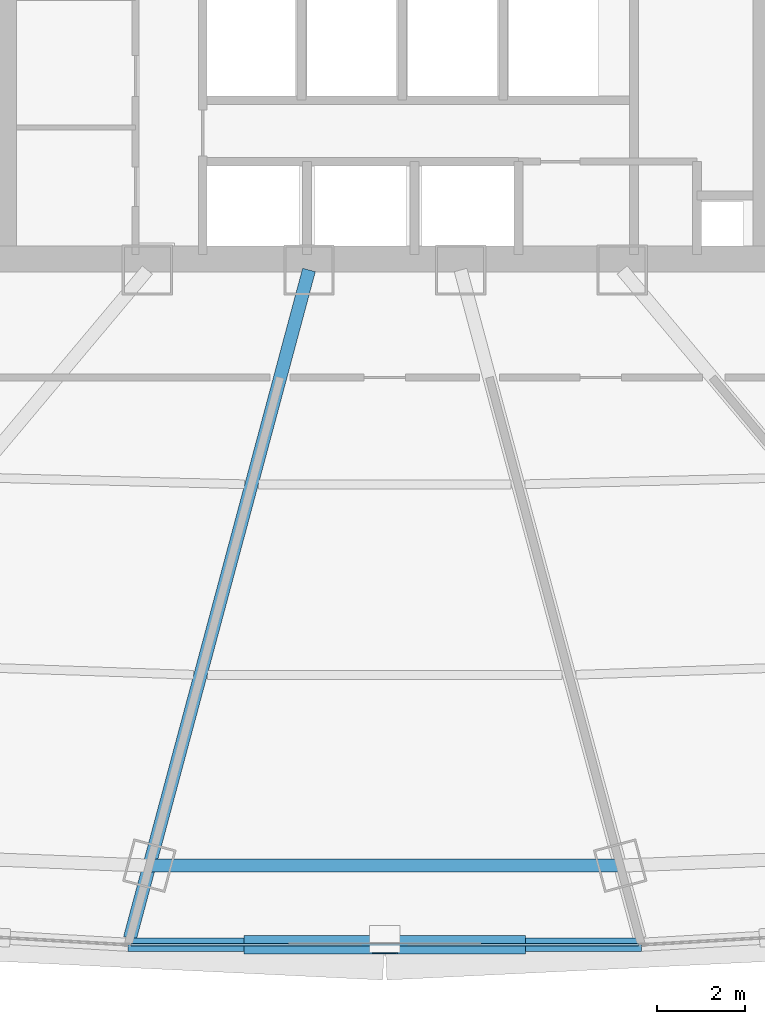
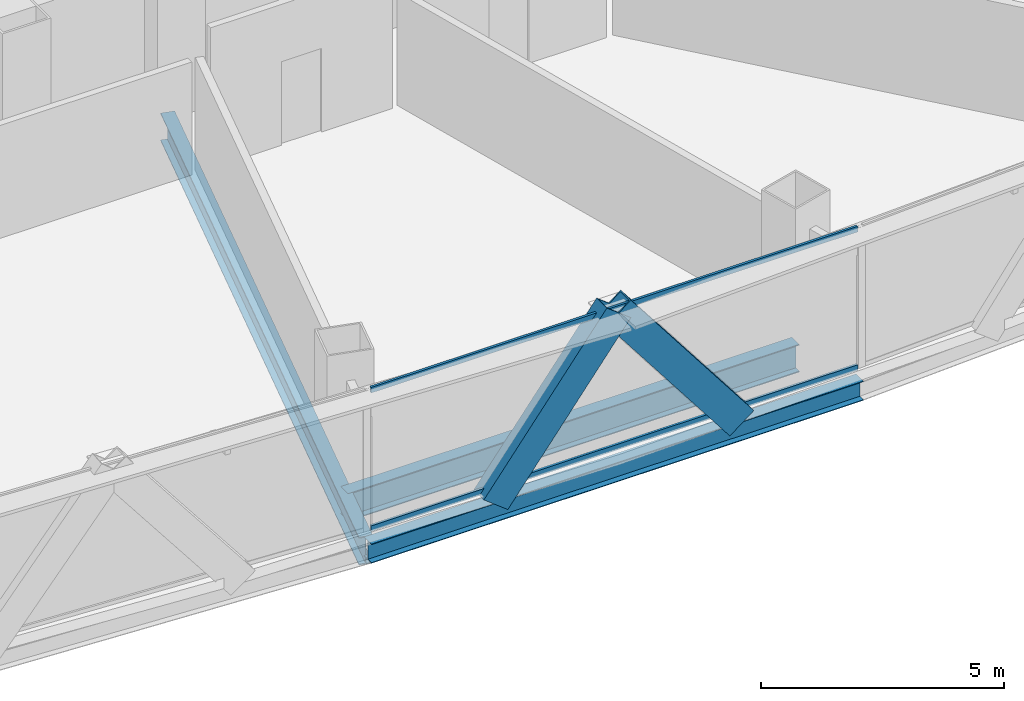
# One storey, part 9 of 39: 4 members, 3 beams, 1 element without a shape of its own.
"""IFC4 building model written with IfcOpenShell, lengths in metres."""

from ifc_helpers import new_model, si_unit, direction, frame, origin, origin_2d, place, context, subcontext, project, spatial, hollow_rectangle, i_section, extrude, source, transform, mapped, material, layer, layer_set, material_profile, profile_set, type_object, element, aggregate, save


model = new_model("IFC4")

# Units and contexts
model_context = context("Model", 3, precision=1e-05, world=origin(), true_north=direction((0.0, 1.0)))
body_context = subcontext(model_context, "Body", "Model", "MODEL_VIEW")
ifc_project = project(units=[si_unit("LENGTHUNIT", "METRE"), si_unit("AREAUNIT", "SQUARE_METRE"), si_unit("VOLUMEUNIT", "CUBIC_METRE"), si_unit("PLANEANGLEUNIT", "RADIAN"), si_unit("MASSUNIT", "GRAM", prefix="KILO"), si_unit("THERMODYNAMICTEMPERATUREUNIT", "KELVIN"), si_unit("POWERUNIT", "WATT")], contexts=[model_context])

# Site, building, storey
site_placement = place(None, origin())
site = spatial("IfcSite", under=ifc_project, at=site_placement, CompositionType="ELEMENT")
building_placement = place(site_placement, origin())
building = spatial("IfcBuilding", under=site, at=building_placement, Name="Yunzhuo Pagoda Commons", CompositionType="ELEMENT")
storey_placement = place(building_placement, frame((0.0, 0.0, 100.179931640625)))
storey = spatial("IfcBuildingStorey", under=building, at=storey_placement, Name="L25", CompositionType="ELEMENT", Elevation=100.179931640625)

# Beams
ifc_material_1 = material(Name="Structural steel Q355B", Category="steel")
ifc_material_profile_1 = material_profile(ifc_material_1, i_section(OverallWidth=0.300048828125, OverallDepth=0.699951171875, WebThickness=0.012939453125, FlangeThickness=0.02392578125, at=origin_2d()), Name="Structural steel Q355B")
ifc_profile_set_1 = profile_set([ifc_material_profile_1], Name="Structural steel Q355B")
beam_type_1 = type_object("IfcBeamType", Name="B-RG1 Beam HN 700x300x13x24", PredefinedType="BEAM", material=ifc_profile_set_1)
shared_shape_1 = source(origin(), body_context, "Body", "SweptSolid", [
    extrude(i_section(OverallWidth=0.300048828125, OverallDepth=0.699951171875, WebThickness=0.012939453125, FlangeThickness=0.02392578125, at=origin_2d()), origin(), (0.0, 0.0, 1.0), 10.73486328125),
])
beam_1_placement = place(storey_placement, frame((42.632568359375, 13.66845703125, -0.60986328125), z_axis=(1.0, 0.0, 0.0), x_axis=(0.0, 1.0, 0.0)))
element("IfcBeam", 1, at=beam_1_placement, inside=storey, type_object=beam_type_1, Name="L25 column-ring beam 2", PredefinedType="BEAM", context=body_context, shape_type="MappedRepresentation", body=[
    mapped(shared_shape_1, transform((0.0, 0.0, 0.0), scale=1.0)),
])
shared_shape_2 = source(origin(), body_context, "Body", "SweptSolid", [
    extrude(i_section(OverallWidth=0.300048828125, OverallDepth=0.699951171875, WebThickness=0.012939453125, FlangeThickness=0.02392578125, at=origin_2d()), origin(), (0.0, 0.0, 1.0), 15.773681640625),
])
beam_2_placement = place(storey_placement, frame((42.189208984375, 12.013916015625, -0.60986328125), z_axis=(0.258834854281, 0.965921590094, 0.0), x_axis=(-0.965921590094, 0.258834854281, 0.0)))
element("IfcBeam", 2, at=beam_2_placement, inside=storey, type_object=beam_type_1, Name="L25 radial floor girder F1C2", PredefinedType="BEAM", context=body_context, shape_type="MappedRepresentation", body=[
    mapped(shared_shape_2, transform((0.0, 0.0, 0.0), scale=1.0)),
])
ifc_material_profile_2 = material_profile(ifc_material_1, i_section(OverallWidth=0.300048828125, OverallDepth=0.488037109375, WebThickness=0.010986328125, FlangeThickness=0.01806640625, at=origin_2d()), Name="Structural steel Q355B")
ifc_profile_set_2 = profile_set([ifc_material_profile_2], Name="Structural steel Q355B")
beam_type_2 = type_object("IfcBeamType", Name="B-SP1 Beam HM 488x300x11x18", PredefinedType="BEAM", material=ifc_profile_set_2)
shared_shape_3 = source(origin(), body_context, "Body", "SweptSolid", [
    extrude(i_section(OverallWidth=0.300048828125, OverallDepth=0.488037109375, WebThickness=0.010986328125, FlangeThickness=0.01806640625, at=origin_2d()), origin(), (0.0, 0.0, 1.0), 11.70166015625),
])
beam_3_placement = place(storey_placement, frame((42.149169921875, 11.8642578125, -0.50390625), z_axis=(1.0, 0.0, 0.0), x_axis=(0.0, 1.0, 0.0)))
element("IfcBeam", 3, at=beam_3_placement, inside=storey, type_object=beam_type_2, Name="L25 facade edge spandrel beam F1.2", PredefinedType="BEAM", context=body_context, shape_type="MappedRepresentation", body=[
    mapped(shared_shape_3, transform((0.0, 0.0, 0.0), scale=1.0)),
])

# Members
ifc_material_2 = material(Name="Structural steel Q420B", Category="steel")
ifc_material_profile_3 = material_profile(ifc_material_2, hollow_rectangle(XDim=0.419921875, YDim=0.719970703125, WallThickness=0.028076171875, at=origin_2d()), Name="Structural steel Q420B")
ifc_profile_set_3 = profile_set([ifc_material_profile_3], Name="Structural steel Q420B")
member_type_1 = type_object("IfcMemberType", Name="M-DL1 Brace BOX 720x420x28", PredefinedType="BRACE", material=ifc_profile_set_3)
shared_shape_4 = source(origin(), body_context, "Body", "SweptSolid", [
    extrude(hollow_rectangle(XDim=0.419921875, YDim=0.719970703125, WallThickness=0.028076171875, at=origin_2d()), origin(), (0.0, 0.0, 1.0), 4.795654296875),
])
for number, where, z_axis, x_axis, name in (
    (4, (45.07470703125, 11.8642578125, -0.260009765625), (0.609996116626, 0.0, 0.792404402878), (0.0, 1.0, 0.0), "L25 facade diamond brace F1.2L"),
    (5, (50.92529296875, 11.8642578125, -0.260009765625), (-0.609996116626, 0.0, 0.792404402878), (0.0, -1.0, 0.0), "L25 facade diamond brace F1.2R"),
):
    element("IfcMember", number, at=place(storey_placement, frame(where, z_axis=z_axis, x_axis=x_axis)), inside=storey, type_object=member_type_1, Name=name, PredefinedType="BRACE", context=body_context, shape_type="MappedRepresentation", body=[
        mapped(shared_shape_4, transform((0.0, 0.0, 0.0), scale=1.0)),
    ])

# Curtain wall, members
ifc_material_3 = material(Name="Anodized aluminium 6063-T6", Category="aluminium")
ifc_layer = layer(ifc_material_3, 0.1650390625)
ifc_layer_set = layer_set([ifc_layer], Name="Anodized aluminium 6063-T6")
curtain_wall_type = type_object("IfcCurtainWallType", Name="CW-LOW Low-Zone Ribbon Curtain Wall", PredefinedType="NOTDEFINED", material=ifc_layer_set)
curtain_wall_placement = place(storey_placement, origin())
curtain_wall = element("IfcCurtainWall", 6, at=curtain_wall_placement, inside=storey, type_object=curtain_wall_type, Name="L25 curtain wall CW-L25-F1B3", PredefinedType="NOTDEFINED")
ifc_material_profile_4 = material_profile(ifc_material_3, hollow_rectangle(XDim=0.06005859375, YDim=0.139892578125, WallThickness=0.00341796875, at=origin_2d()), Name="Anodized aluminium 6063-T6")
ifc_profile_set_4 = profile_set([ifc_material_profile_4], Name="Anodized aluminium 6063-T6")
member_type_2 = type_object("IfcMemberType", Name="CW-LOW-T Transom RHS 140x60x3.5", PredefinedType="USERDEFINED", material=ifc_profile_set_4)
shared_shape_5 = source(origin(), body_context, "Body", "SweptSolid", [
    extrude(hollow_rectangle(XDim=0.06005859375, YDim=0.139892578125, WallThickness=0.00341796875, at=origin_2d()), origin(), (0.0, 0.0, 1.0), 11.57177734375),
])
member_1_placement = place(storey_placement, frame((42.214111328125, 11.8642578125, 0.030029296875), z_axis=(1.0, 0.0, 0.0), x_axis=(0.0, 1.0, 0.0)))
member_1 = element("IfcMember", 7, at=member_1_placement, type_object=member_type_2, Name="CW transom 1.1", ObjectType="TRANSOM", PredefinedType="USERDEFINED", context=body_context, shape_type="MappedRepresentation", body=[
    mapped(shared_shape_5, transform((0.0, 0.0, 0.0), scale=1.0)),
])
member_2_placement = place(storey_placement, frame((42.214111328125, 11.8642578125, 3.510009765625), z_axis=(1.0, 0.0, 0.0), x_axis=(0.0, 1.0, 0.0)))
member_2 = element("IfcMember", 8, at=member_2_placement, type_object=member_type_2, Name="CW transom 1.2", ObjectType="TRANSOM", PredefinedType="USERDEFINED", context=body_context, shape_type="MappedRepresentation", body=[
    mapped(shared_shape_5, transform((0.0, 0.0, 0.0), scale=1.0)),
])
aggregate(curtain_wall, [member_1, member_2])

save(model, "model.ifc")
